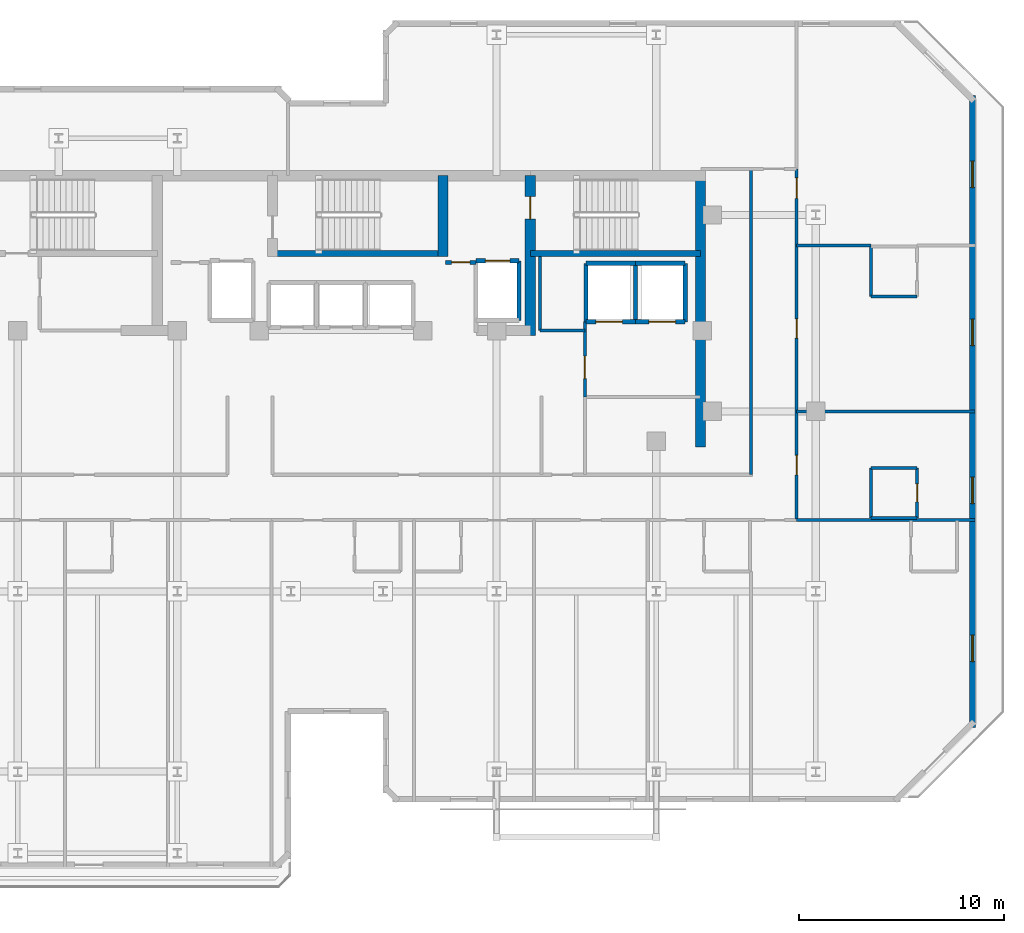
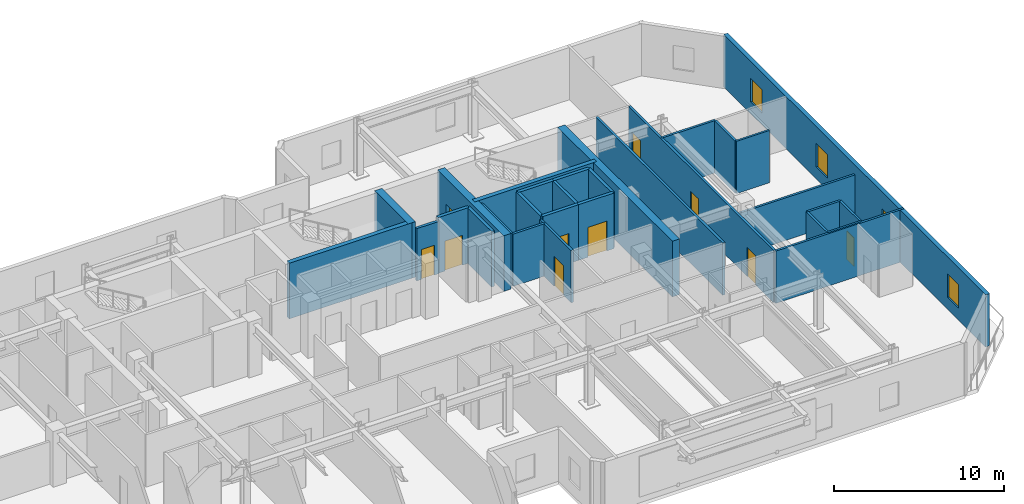
# One storey, part 7 of 13: 30 walls, 10 doors, 4 windows, 14 openings.
"""IFC4 building model written with IfcOpenShell, lengths in metres."""

import ifcopenshell
import ifcopenshell.guid

model = None  # the IFC model being written
_history = None  # IfcOwnerHistory: only IFC2X3 demands one
_inside = {}  # id of a spatial element -> (the spatial element, [elements in it])
_under = {}  # id of a project, library or spatial element -> (it, [spatial elements below it])
_declared = {}  # id of a project -> (the project, [libraries it declares])
_typed = {}  # id of a type object -> (the type object, [elements of that type])
_made_of = {}  # id of a material, layer set ... -> (it, [elements and type objects made of it])


def new_model(schema):
    """Start an empty IFC model of exactly this schema.

    Asked for "IFC4X3", IfcOpenShell would pick the latest addendum, in which some entities
    have other attributes; the version numbers below select the first issue.
    IFC2X3 requires an IfcOwnerHistory on every rooted entity: one is made here for all.
    """
    global model, _history
    if schema == "IFC4X3":
        model = ifcopenshell.file(schema_version=(4, 3, 0, 0))
    else:
        model = ifcopenshell.file(schema=schema)
    _inside.clear()
    _under.clear()
    _declared.clear()
    _typed.clear()
    _made_of.clear()
    _history = None
    if model.schema == "IFC2X3":
        org = make("IfcOrganization", Name="unknown")
        user = make(
            "IfcPersonAndOrganization",
            ThePerson=make("IfcPerson", FamilyName="unknown"),
            TheOrganization=org,
        )
        app = make(
            "IfcApplication",
            ApplicationDeveloper=org,
            Version="unknown",
            ApplicationFullName="unknown",
            ApplicationIdentifier="unknown",
        )
        _history = make(
            "IfcOwnerHistory",
            OwningUser=user,
            OwningApplication=app,
            ChangeAction="ADDED",
            CreationDate=0,
        )
    return model


def make(cls, **values):
    """One entity of the class cls with the attributes given. An attribute that is None is left unset."""
    return model.create_entity(
        cls, **{name: value for name, value in values.items() if value is not None}
    )


def rooted(cls, **values):
    """An entity with a GlobalId (a new one), such as an element, a storey or a relation."""
    return make(cls, GlobalId=ifcopenshell.guid.new(), OwnerHistory=_history, **values)


def si_unit(unit_type, name, prefix=None):
    """IfcSIUnit, for example si_unit("LENGTHUNIT", "METRE", prefix="MILLI")."""
    return make("IfcSIUnit", UnitType=unit_type, Prefix=prefix, Name=name)


def assignment(units):
    """IfcUnitAssignment: the units of a project."""
    return None if units is None else make("IfcUnitAssignment", Units=units)


def point(xyz):
    """IfcCartesianPoint."""
    return None if xyz is None else make("IfcCartesianPoint", Coordinates=xyz)


def direction(xyz):
    """IfcDirection."""
    return None if xyz is None else make("IfcDirection", DirectionRatios=xyz)


def frame(location, z_axis=None, x_axis=None):
    """IfcAxis2Placement3D, a coordinate frame: its origin and axes. An axis left out is left unset."""
    return make(
        "IfcAxis2Placement3D",
        Location=point(location),
        Axis=direction(z_axis),
        RefDirection=direction(x_axis),
    )


def frame_2d(location, x_axis=None):
    """IfcAxis2Placement2D, a coordinate frame in the plane: its origin and x axis."""
    return make(
        "IfcAxis2Placement2D", Location=point(location), RefDirection=direction(x_axis)
    )


def origin():
    """The frame at (0, 0, 0) with its axes left unset."""
    return frame((0.0, 0.0, 0.0))


def place(relative_to, where):
    """IfcLocalPlacement: puts the frame where relative to a parent placement (None: the world)."""
    return make(
        "IfcLocalPlacement", PlacementRelTo=relative_to, RelativePlacement=where
    )


def context(
    kind, dimensions, precision=None, world=None, true_north=None, identifier=None
):
    """IfcGeometricRepresentationContext, for example the 3D "Model" context."""
    return make(
        "IfcGeometricRepresentationContext",
        ContextIdentifier=identifier,
        ContextType=kind,
        CoordinateSpaceDimension=dimensions,
        Precision=precision,
        WorldCoordinateSystem=world,
        TrueNorth=true_north,
    )


def subcontext(parent, identifier, kind, view, scale=None):
    """IfcGeometricRepresentationSubContext, for example "Body" below "Model"."""
    return make(
        "IfcGeometricRepresentationSubContext",
        ContextIdentifier=identifier,
        ContextType=kind,
        ParentContext=parent,
        TargetScale=scale,
        TargetView=view,
    )


def project(units=None, contexts=None):
    """IfcProject with its units and contexts."""
    return rooted(
        "IfcProject",
        Name="project",
        RepresentationContexts=contexts,
        UnitsInContext=assignment(units),
    )


def spatial(cls, under=None, at=None, **own):
    """A site, building, storey or space (cls), placed at a placement, below another one or the project."""
    s = rooted(cls, ObjectPlacement=at, **own)
    if under is not None:
        _under.setdefault(under.id(), (under, []))[1].append(s)
    return s


def profile(cls, at=None, kind="AREA", **sizes):
    """A parametric profile (cls). Its sizes go by their IFC names, for example OverallWidth=200.0."""
    return make(cls, ProfileType=kind, Position=at, **sizes)


def rectangle(**sizes):
    """IfcRectangleProfileDef."""
    return profile("IfcRectangleProfileDef", **sizes)


def extrude(swept, where, along, depth):
    """IfcExtrudedAreaSolid: the profile swept, set in the frame where, extruded along a direction by depth."""
    return make(
        "IfcExtrudedAreaSolid",
        SweptArea=swept,
        Position=where,
        ExtrudedDirection=direction(along),
        Depth=depth,
    )


def shape(context_of_items, identifier, shape_type, items):
    """IfcShapeRepresentation: the items that make up one representation, for example the "Body"."""
    return make(
        "IfcShapeRepresentation",
        ContextOfItems=context_of_items,
        RepresentationIdentifier=identifier,
        RepresentationType=shape_type,
        Items=items,
    )


def material(Name=None, Category=None):
    """IfcMaterial."""
    return make("IfcMaterial", Name=Name, Category=Category)


def layer(
    of_material, thickness, ventilated=None, Name=None, Category=None, Priority=None
):
    """IfcMaterialLayer: one layer of a wall or slab, of a material (None: an air gap)."""
    return make(
        "IfcMaterialLayer",
        Material=of_material,
        LayerThickness=thickness,
        IsVentilated=ventilated,
        Name=Name,
        Category=Category,
        Priority=Priority,
    )


def layer_set(layers, Name=None):
    """IfcMaterialLayerSet."""
    return make("IfcMaterialLayerSet", MaterialLayers=layers, LayerSetName=Name)


def made_of(thing, what):
    """Note that an element or type object is made of a material, layer set ...; save() writes the relation."""
    if what is not None:
        _made_of.setdefault(what.id(), (what, []))[1].append(thing)
    return thing


def type_object(cls, material=None, **own):
    """A type object (cls), such as IfcWallType, which elements share."""
    return made_of(rooted(cls, **own), material)


def element(
    cls,
    number,
    at=None,
    inside=None,
    cuts=None,
    type_object=None,
    material=None,
    context=None,
    identifier="Body",
    shape_type=None,
    held_by="IfcProductDefinitionShape",
    body=None,
    shapes=None,
    **own,
):
    """One element of the class cls, such as IfcWall. Its Tag is "e" and its number.

    at: its placement. inside: the storey or other place that contains it. cuts: it is an
    opening in that element (IfcRelVoidsElement). A single representation is given by context,
    identifier, shape_type and body (its items); several are given by shapes. held_by: the class
    of the entity that holds the representations. save() writes the other relations.
    """
    e = rooted(cls, Tag="e%d" % number, ObjectPlacement=at, **own)
    if body is not None:
        shapes = [shape(context, identifier, shape_type, body)]
    if shapes is not None:
        e.Representation = make(held_by, Representations=shapes)
    if inside is not None:
        _inside.setdefault(inside.id(), (inside, []))[1].append(e)
    if cuts is not None:
        rooted(
            "IfcRelVoidsElement", RelatingBuildingElement=cuts, RelatedOpeningElement=e
        )
    if type_object is not None:
        _typed.setdefault(type_object.id(), (type_object, []))[1].append(e)
    return made_of(e, material)


def fill(opening, filler):
    """IfcRelFillsElement: the door or window that sits in an opening."""
    return rooted(
        "IfcRelFillsElement",
        RelatingOpeningElement=opening,
        RelatedBuildingElement=filler,
    )


def aggregate(whole, parts):
    """IfcRelAggregates: a whole, such as a stair, and the parts it consists of."""
    return rooted("IfcRelAggregates", RelatingObject=whole, RelatedObjects=parts)


def save(model, path):
    """Write the relations noted so far, then the file.

    IfcRelAggregates (storeys below a building ...), IfcRelContainedInSpatialStructure (elements
    in a storey), IfcRelDefinesByType, IfcRelAssociatesMaterial and IfcRelDeclares: one each for
    every whole, place, type object, material and project.
    """
    for whole, parts in _under.values():
        aggregate(whole, parts)
    for where, things in _inside.values():
        rooted(
            "IfcRelContainedInSpatialStructure",
            RelatedElements=things,
            RelatingStructure=where,
        )
    for kind, things in _typed.values():
        rooted("IfcRelDefinesByType", RelatedObjects=things, RelatingType=kind)
    for what, things in _made_of.values():
        rooted("IfcRelAssociatesMaterial", RelatedObjects=things, RelatingMaterial=what)
    for by, libraries in _declared.values():
        rooted("IfcRelDeclares", RelatingContext=by, RelatedDefinitions=libraries)
    model.write(path)


model = new_model("IFC4")

# Units and contexts
model_context = context("Model", 3, precision=1e-05, world=origin(), true_north=direction((0.0, 1.0)))
body_context = subcontext(model_context, "Body", "Model", "MODEL_VIEW")
ifc_project = project(units=[si_unit("LENGTHUNIT", "METRE"), si_unit("AREAUNIT", "SQUARE_METRE"), si_unit("VOLUMEUNIT", "CUBIC_METRE"), si_unit("PLANEANGLEUNIT", "RADIAN"), si_unit("MASSUNIT", "GRAM", prefix="KILO")], contexts=[model_context])

# Site, building, storey
site_placement = place(None, origin())
site = spatial("IfcSite", under=ifc_project, at=site_placement, CompositionType="ELEMENT")
building_placement = place(site_placement, origin())
building = spatial("IfcBuilding", under=site, at=building_placement, Name="Kestravale Grand Hotel", CompositionType="ELEMENT")
storey_placement = place(building_placement, frame((0.0, 0.0, 245.39990234375)))
storey = spatial("IfcBuildingStorey", under=building, at=storey_placement, Name="L61", CompositionType="ELEMENT", Elevation=245.39990234375)

# Walls
ifc_material_1 = material(Name="Concrete f'c 50 MPa", Category="concrete")
ifc_layer_1 = layer(ifc_material_1, 0.5)
ifc_layer_set_1 = layer_set([ifc_layer_1], Name="EW-CORE-500")
wall_type_1 = type_object("IfcWallType", Name="EW-CORE-500", PredefinedType="SHEAR", material=ifc_layer_set_1)
wall_1_placement = place(storey_placement, frame((56.77001953125, 27.050048828125, 0.0), z_axis=(0.0, 0.0, 1.0), x_axis=(0.0, 1.0, 0.0)))
element("IfcWall", 1, at=wall_1_placement, inside=storey, type_object=wall_type_1, Name="L61 core shear wall E1", PredefinedType="SHEAR", context=body_context, shape_type="SweptSolid", body=[
    extrude(rectangle(XDim=13.52001953125, YDim=0.5, at=frame_2d((6.760009765625, 0.0))), origin(), (0.0, 0.0, 1.0), 4.0),
])
wall_2_placement = place(storey_placement, frame((44.179931640625, 36.3701171875, 0.0), z_axis=(0.0, 0.0, 1.0), x_axis=(0.0, 1.0, 0.0)))
element("IfcWall", 2, at=wall_2_placement, inside=storey, type_object=wall_type_1, Name="L61 core shear wall X3", PredefinedType="SHEAR", context=body_context, shape_type="SweptSolid", body=[
    extrude(rectangle(XDim=3.949951171875, YDim=0.5, at=frame_2d((1.97509765625, 0.0))), origin(), (0.0, 0.0, 1.0), 4.0),
])

# Wall, opening, door
wall_3_placement = place(storey_placement, frame((48.449951171875, 32.5, 0.0), z_axis=(0.0, 0.0, 1.0), x_axis=(0.0, 1.0, 0.0)))
wall_3 = element("IfcWall", 3, at=wall_3_placement, inside=storey, type_object=wall_type_1, Name="L61 core shear wall X4", PredefinedType="SHEAR", context=body_context, shape_type="SweptSolid", body=[
    extrude(rectangle(XDim=7.820068359375, YDim=0.5, at=frame_2d((3.91015625, 0.0))), origin(), (0.0, 0.0, 1.0), 4.0),
])
opening_1_placement = place(wall_3_placement, frame((5.699951171875, 0.0, 0.0)))
opening_1 = element("IfcOpeningElement", 4, at=opening_1_placement, cuts=wall_3, Name="Opening D-ST-1100", PredefinedType="OPENING", context=body_context, shape_type="SweptSolid", body=[
    extrude(rectangle(XDim=1.10009765625, YDim=2.14990234375, at=frame_2d((0.550048828125, 1.074951171875))), frame((0.0, 0.260009765625, 0.0), z_axis=(0.0, -1.0, 0.0), x_axis=(1.0, 0.0, 0.0)), (0.0, 0.0, 1.0), 0.52001953125),
])
ifc_material_2 = material(Name="Galvanised 90-minute fire-rated steel stair door", Category="steel")
door_type_1 = type_object("IfcDoorType", Name="D-ST-1100", OperationType="NOTDEFINED", PredefinedType="DOOR", material=ifc_material_2)
door_1_placement = place(opening_1_placement, origin())
door_1 = element("IfcDoor", 5, at=door_1_placement, inside=storey, type_object=door_type_1, Name="L61 Stair ST-3 FSAE fire door", OperationType="SINGLE_SWING_RIGHT", OverallHeight=2.14990234375, OverallWidth=1.10009765625, PredefinedType="DOOR", context=body_context, shape_type="SweptSolid", body=[
    extrude(rectangle(XDim=1.10009765625, YDim=2.14990234375, at=frame_2d((0.550048828125, 1.074951171875))), frame((0.0, 0.02490234375, 0.0), z_axis=(0.0, -1.0, 0.0), x_axis=(1.0, 0.0, 0.0)), (0.0, 0.0, 1.0), 0.050048828125),
])
fill(opening_1, door_1)

# Wall, openings, windows
ifc_material_3 = material(Name="Precast concrete f'c 45 MPa", Category="concrete")
ifc_layer_2 = layer(ifc_material_3, 0.280029296875)
ifc_layer_set_2 = layer_set([ifc_layer_2], Name="EW-PREC-280")
wall_type_2 = type_object("IfcWallType", Name="EW-PREC-280", PredefinedType="SOLIDWALL", material=ifc_layer_set_2)
wall_4_placement = place(storey_placement, frame((70.06005859375, 13.360107421875, 0.0), z_axis=(0.0, 0.0, 1.0), x_axis=(0.0, 1.0, 0.0)))
wall_4 = element("IfcWall", 6, at=wall_4_placement, inside=storey, type_object=wall_type_2, Name="L61 fluted precast facade wall 9", PredefinedType="SOLIDWALL", context=body_context, shape_type="SweptSolid", body=[
    extrude(rectangle(XDim=30.8798828125, YDim=0.280029296875, at=frame_2d((15.43994140625, 0.0))), origin(), (0.0, 0.0, 1.0), 3.760009765625),
])
opening_2_placement = place(wall_4_placement, frame((3.2099609375, 0.0, 0.85009765625)))
opening_2 = element("IfcOpeningElement", 7, at=opening_2_placement, cuts=wall_4, Name="Opening W-GUEST-1300", PredefinedType="OPENING", context=body_context, shape_type="SweptSolid", body=[
    extrude(rectangle(XDim=1.300048828125, YDim=1.699951171875, at=frame_2d((0.64990234375, 0.85009765625))), frame((0.0, 0.14990234375, 0.0), z_axis=(0.0, -1.0, 0.0), x_axis=(1.0, 0.0, 0.0)), (0.0, 0.0, 1.0), 0.300048828125),
])
opening_3_placement = place(wall_4_placement, frame((10.929931640625, 0.0, 0.85009765625)))
opening_3 = element("IfcOpeningElement", 8, at=opening_3_placement, cuts=wall_4, Name="Opening W-GUEST-1300", PredefinedType="OPENING", context=body_context, shape_type="SweptSolid", body=[
    extrude(rectangle(XDim=1.300048828125, YDim=1.699951171875, at=frame_2d((0.64990234375, 0.85009765625))), frame((0.0, 0.14990234375, 0.0), z_axis=(0.0, -1.0, 0.0), x_axis=(1.0, 0.0, 0.0)), (0.0, 0.0, 1.0), 0.300048828125),
])
opening_4_placement = place(wall_4_placement, frame((18.64990234375, 0.0, 0.85009765625)))
opening_4 = element("IfcOpeningElement", 9, at=opening_4_placement, cuts=wall_4, Name="Opening W-GUEST-1300", PredefinedType="OPENING", context=body_context, shape_type="SweptSolid", body=[
    extrude(rectangle(XDim=1.300048828125, YDim=1.699951171875, at=frame_2d((0.64990234375, 0.85009765625))), frame((0.0, 0.14990234375, 0.0), z_axis=(0.0, -1.0, 0.0), x_axis=(1.0, 0.0, 0.0)), (0.0, 0.0, 1.0), 0.300048828125),
])
opening_5_placement = place(wall_4_placement, frame((26.3701171875, 0.0, 0.85009765625)))
opening_5 = element("IfcOpeningElement", 10, at=opening_5_placement, cuts=wall_4, Name="Opening W-GUEST-1300", PredefinedType="OPENING", context=body_context, shape_type="SweptSolid", body=[
    extrude(rectangle(XDim=1.300048828125, YDim=1.699951171875, at=frame_2d((0.64990234375, 0.85009765625))), frame((0.0, 0.14990234375, 0.0), z_axis=(0.0, -1.0, 0.0), x_axis=(1.0, 0.0, 0.0)), (0.0, 0.0, 1.0), 0.300048828125),
])
ifc_material_4 = material(Name="Insulated low-E double glazing in aluminium frame", Category="aluminium")
window_type = type_object("IfcWindowType", Name="W-GUEST-1300", PartitioningType="SINGLE_PANEL", PredefinedType="WINDOW", material=ifc_material_4)
window_1_placement = place(opening_2_placement, origin())
window_1 = element("IfcWindow", 11, at=window_1_placement, inside=storey, type_object=window_type, Name="L61 exterior window 9.1", OverallHeight=1.699951171875, OverallWidth=1.300048828125, PartitioningType="SINGLE_PANEL", PredefinedType="WINDOW", context=body_context, shape_type="SweptSolid", body=[
    extrude(rectangle(XDim=1.300048828125, YDim=1.699951171875, at=frame_2d((0.64990234375, 0.85009765625))), frame((0.0, 0.030029296875, 0.0), z_axis=(0.0, -1.0, 0.0), x_axis=(1.0, 0.0, 0.0)), (0.0, 0.0, 1.0), 0.06005859375),
])
fill(opening_2, window_1)
window_2_placement = place(opening_3_placement, origin())
window_2 = element("IfcWindow", 12, at=window_2_placement, inside=storey, type_object=window_type, Name="L61 exterior window 9.2", OverallHeight=1.699951171875, OverallWidth=1.300048828125, PartitioningType="SINGLE_PANEL", PredefinedType="WINDOW", context=body_context, shape_type="SweptSolid", body=[
    extrude(rectangle(XDim=1.300048828125, YDim=1.699951171875, at=frame_2d((0.64990234375, 0.85009765625))), frame((0.0, 0.030029296875, 0.0), z_axis=(0.0, -1.0, 0.0), x_axis=(1.0, 0.0, 0.0)), (0.0, 0.0, 1.0), 0.06005859375),
])
fill(opening_3, window_2)
window_3_placement = place(opening_4_placement, origin())
window_3 = element("IfcWindow", 13, at=window_3_placement, inside=storey, type_object=window_type, Name="L61 exterior window 9.3", OverallHeight=1.699951171875, OverallWidth=1.300048828125, PartitioningType="SINGLE_PANEL", PredefinedType="WINDOW", context=body_context, shape_type="SweptSolid", body=[
    extrude(rectangle(XDim=1.300048828125, YDim=1.699951171875, at=frame_2d((0.64990234375, 0.85009765625))), frame((0.0, 0.030029296875, 0.0), z_axis=(0.0, -1.0, 0.0), x_axis=(1.0, 0.0, 0.0)), (0.0, 0.0, 1.0), 0.06005859375),
])
fill(opening_4, window_3)
window_4_placement = place(opening_5_placement, origin())
window_4 = element("IfcWindow", 14, at=window_4_placement, inside=storey, type_object=window_type, Name="L61 exterior window 9.4", OverallHeight=1.699951171875, OverallWidth=1.300048828125, PartitioningType="SINGLE_PANEL", PredefinedType="WINDOW", context=body_context, shape_type="SweptSolid", body=[
    extrude(rectangle(XDim=1.300048828125, YDim=1.699951171875, at=frame_2d((0.64990234375, 0.85009765625))), frame((0.0, 0.030029296875, 0.0), z_axis=(0.0, -1.0, 0.0), x_axis=(1.0, 0.0, 0.0)), (0.0, 0.0, 1.0), 0.06005859375),
])
fill(opening_5, window_4)

# Walls
ifc_material_5 = material(Name="Concrete f'c 45 MPa", Category="concrete")
ifc_layer_3 = layer(ifc_material_5, 0.300048828125)
ifc_layer_set_3 = layer_set([ifc_layer_3], Name="EW-STAIR-300")
wall_type_3 = type_object("IfcWallType", Name="EW-STAIR-300", PredefinedType="SHEAR", material=ifc_layer_set_3)
wall_5_placement = place(storey_placement, frame((35.85009765625, 36.52001953125, 0.0), z_axis=(0.0, 0.0, 1.0), x_axis=(1.0, 0.0, 0.0)))
element("IfcWall", 15, at=wall_5_placement, inside=storey, type_object=wall_type_3, Name="L61 stair enclosure shear wall SST2", PredefinedType="SHEAR", context=body_context, shape_type="SweptSolid", body=[
    extrude(rectangle(XDim=8.329833984375, YDim=0.300048828125, at=frame_2d((4.1650390625, 0.0))), origin(), (0.0, 0.0, 1.0), 4.0),
])
wall_6_placement = place(storey_placement, frame((48.449951171875, 36.52001953125, 0.0), z_axis=(0.0, 0.0, 1.0), x_axis=(1.0, 0.0, 0.0)))
element("IfcWall", 16, at=wall_6_placement, inside=storey, type_object=wall_type_3, Name="L61 stair enclosure shear wall SST3", PredefinedType="SHEAR", context=body_context, shape_type="SweptSolid", body=[
    extrude(rectangle(XDim=8.320068359375, YDim=0.300048828125, at=frame_2d((4.16015625, 0.0))), origin(), (0.0, 0.0, 1.0), 4.0),
])

# Wall, opening, door
ifc_material_6 = material(Name="Acoustic fire-rated gypsum board partition", Category="other")
ifc_layer_4 = layer(ifc_material_6, 0.159912109375)
ifc_layer_set_4 = layer_set([ifc_layer_4], Name="IW-CORR-160")
wall_type_4 = type_object("IfcWallType", Name="IW-CORR-160", PredefinedType="PARTITIONING", material=ifc_layer_set_4)
wall_7_placement = place(storey_placement, frame((51.1201171875, 29.5, 0.0), z_axis=(0.0, 0.0, 1.0), x_axis=(0.0, 1.0, 0.0)))
wall_7 = element("IfcWall", 17, at=wall_7_placement, inside=storey, type_object=wall_type_4, Name="W-L61-SVCLOB-W", PredefinedType="PARTITIONING", context=body_context, shape_type="SweptSolid", body=[
    extrude(rectangle(XDim=3.699951171875, YDim=0.159912109375, at=frame_2d((1.85009765625, 0.0))), origin(), (0.0, 0.0, 1.0), 3.760009765625),
])
opening_6_placement = place(wall_7_placement, frame((0.89990234375, 0.0, 0.0)))
opening_6 = element("IfcOpeningElement", 18, at=opening_6_placement, cuts=wall_7, Name="Opening D-CORR-1100", PredefinedType="OPENING", context=body_context, shape_type="SweptSolid", body=[
    extrude(rectangle(XDim=1.10009765625, YDim=2.14990234375, at=frame_2d((0.550048828125, 1.074951171875))), frame((0.0, 0.08984375, 0.0), z_axis=(0.0, -1.0, 0.0), x_axis=(1.0, 0.0, 0.0)), (0.0, 0.0, 1.0), 0.179931640625),
])
ifc_material_7 = material(Name="Single-leaf service vestibule fire door", Category="steel")
door_type_2 = type_object("IfcDoorType", Name="D-CORR-1100", OperationType="NOTDEFINED", PredefinedType="DOOR", material=ifc_material_7)
door_2_placement = place(opening_6_placement, origin())
door_2 = element("IfcDoor", 19, at=door_2_placement, inside=storey, type_object=door_type_2, Name="L61 service lift lobby door", OperationType="SINGLE_SWING_LEFT", OverallHeight=2.14990234375, OverallWidth=1.10009765625, PredefinedType="DOOR", context=body_context, shape_type="SweptSolid", body=[
    extrude(rectangle(XDim=1.10009765625, YDim=2.14990234375, at=frame_2d((0.550048828125, 1.074951171875))), frame((0.0, 0.02490234375, 0.0), z_axis=(0.0, -1.0, 0.0), x_axis=(1.0, 0.0, 0.0)), (0.0, 0.0, 1.0), 0.050048828125),
])
fill(opening_6, door_2)

# Wall
wall_8_placement = place(storey_placement, frame((48.919921875, 32.75, 0.0), z_axis=(0.0, 0.0, 1.0), x_axis=(1.0, 0.0, 0.0)))
element("IfcWall", 20, at=wall_8_placement, inside=storey, type_object=wall_type_4, Name="W-L61-CES", PredefinedType="PARTITIONING", context=body_context, shape_type="SweptSolid", body=[
    extrude(rectangle(XDim=2.2001953125, YDim=0.159912109375, at=frame_2d((1.10009765625, 0.0))), origin(), (0.0, 0.0, 1.0), 3.760009765625),
])

# Wall, openings, doors
wall_9_placement = place(storey_placement, frame((61.4599609375, 23.550048828125, 0.0), z_axis=(0.0, 0.0, 1.0), x_axis=(0.0, 1.0, 0.0)))
wall_9 = element("IfcWall", 21, at=wall_9_placement, inside=storey, type_object=wall_type_4, Name="W-L61-SE-E", PredefinedType="PARTITIONING", context=body_context, shape_type="SweptSolid", body=[
    extrude(rectangle(XDim=17.099853515625, YDim=0.159912109375, at=frame_2d((8.5498046875, 0.0))), origin(), (0.0, 0.0, 1.0), 3.760009765625),
])
opening_7_placement = place(wall_9_placement, frame((2.14990234375, 0.0, 0.0)))
opening_7 = element("IfcOpeningElement", 22, at=opening_7_placement, cuts=wall_9, Name="Opening D-GUEST-950", PredefinedType="OPENING", context=body_context, shape_type="SweptSolid", body=[
    extrude(rectangle(XDim=0.949951171875, YDim=2.10009765625, at=frame_2d((0.47509765625, 1.050048828125))), frame((0.0, 0.08984375, 0.0), z_axis=(0.0, -1.0, 0.0), x_axis=(1.0, 0.0, 0.0)), (0.0, 0.0, 1.0), 0.179931640625),
])
opening_8_placement = place(wall_9_placement, frame((8.824951171875, 0.0, 0.0)))
opening_8 = element("IfcOpeningElement", 23, at=opening_8_placement, cuts=wall_9, Name="Opening D-GUEST-950", PredefinedType="OPENING", context=body_context, shape_type="SweptSolid", body=[
    extrude(rectangle(XDim=0.949951171875, YDim=2.10009765625, at=frame_2d((0.47509765625, 1.050048828125))), frame((0.0, 0.08984375, 0.0), z_axis=(0.0, -1.0, 0.0), x_axis=(1.0, 0.0, 0.0)), (0.0, 0.0, 1.0), 0.179931640625),
])
opening_9_placement = place(wall_9_placement, frame((15.659912109375, 0.0, 0.0)))
opening_9 = element("IfcOpeningElement", 24, at=opening_9_placement, cuts=wall_9, Name="Opening D-GUEST-1000", PredefinedType="OPENING", context=body_context, shape_type="SweptSolid", body=[
    extrude(rectangle(XDim=1.0, YDim=2.14990234375, at=frame_2d((0.5, 1.074951171875))), frame((0.0, 0.08984375, 0.0), z_axis=(0.0, -1.0, 0.0), x_axis=(1.0, 0.0, 0.0)), (0.0, 0.0, 1.0), 0.179931640625),
])
ifc_material_8 = material(Name="Accessible walnut veneer hotel entrance fire door", Category="wood")
door_type_3 = type_object("IfcDoorType", Name="D-GUEST-1000", OperationType="NOTDEFINED", PredefinedType="DOOR", material=ifc_material_8)
door_3_placement = place(opening_9_placement, origin())
door_3 = element("IfcDoor", 25, at=door_3_placement, inside=storey, type_object=door_type_3, Name="D-L61-AMEW", OperationType="SINGLE_SWING_RIGHT", OverallHeight=2.14990234375, OverallWidth=1.0, PredefinedType="DOOR", context=body_context, shape_type="SweptSolid", body=[
    extrude(rectangle(XDim=1.0, YDim=2.14990234375, at=frame_2d((0.5, 1.074951171875))), frame((0.0, 0.02490234375, 0.0), z_axis=(0.0, -1.0, 0.0), x_axis=(1.0, 0.0, 0.0)), (0.0, 0.0, 1.0), 0.050048828125),
])
fill(opening_9, door_3)
ifc_material_9 = material(Name="Walnut veneer hotel guestroom entrance fire door", Category="wood")
door_type_4 = type_object("IfcDoorType", Name="D-GUEST-950", OperationType="NOTDEFINED", PredefinedType="DOOR", material=ifc_material_9)
door_4_placement = place(opening_7_placement, origin())
door_4 = element("IfcDoor", 26, at=door_4_placement, inside=storey, type_object=door_type_4, Name="D-L61-U10-ENT", OperationType="SINGLE_SWING_LEFT", OverallHeight=2.10009765625, OverallWidth=0.949951171875, PredefinedType="DOOR", context=body_context, shape_type="SweptSolid", body=[
    extrude(rectangle(XDim=0.949951171875, YDim=2.10009765625, at=frame_2d((0.47509765625, 1.050048828125))), frame((0.0, 0.02490234375, 0.0), z_axis=(0.0, -1.0, 0.0), x_axis=(1.0, 0.0, 0.0)), (0.0, 0.0, 1.0), 0.050048828125),
])
fill(opening_7, door_4)
door_5_placement = place(opening_8_placement, origin())
door_5 = element("IfcDoor", 27, at=door_5_placement, inside=storey, type_object=door_type_4, Name="D-L61-U11-ENT", OperationType="SINGLE_SWING_LEFT", OverallHeight=2.10009765625, OverallWidth=0.949951171875, PredefinedType="DOOR", context=body_context, shape_type="SweptSolid", body=[
    extrude(rectangle(XDim=0.949951171875, YDim=2.10009765625, at=frame_2d((0.47509765625, 1.050048828125))), frame((0.0, 0.02490234375, 0.0), z_axis=(0.0, -1.0, 0.0), x_axis=(1.0, 0.0, 0.0)), (0.0, 0.0, 1.0), 0.050048828125),
])
fill(opening_8, door_5)

# Wall
wall_10_placement = place(storey_placement, frame((59.239990234375, 25.7099609375, 0.0), z_axis=(0.0, 0.0, 1.0), x_axis=(0.0, 1.0, 0.0)))
element("IfcWall", 28, at=wall_10_placement, inside=storey, type_object=wall_type_4, Name="W-L61-SE-WU", PredefinedType="PARTITIONING", context=body_context, shape_type="SweptSolid", body=[
    extrude(rectangle(XDim=14.93994140625, YDim=0.159912109375, at=frame_2d((7.469970703125, 0.0))), origin(), (0.0, 0.0, 1.0), 3.760009765625),
])

# Wall, opening, door
ifc_material_10 = material(Name="Fire-rated gypsum board on steel studs with mineral wool", Category="steel")
ifc_layer_5 = layer(ifc_material_10, 0.179931640625)
ifc_layer_set_5 = layer_set([ifc_layer_5], Name="IW-FSAE-180")
wall_type_5 = type_object("IfcWallType", Name="IW-FSAE-180", PredefinedType="PARTITIONING", material=ifc_layer_set_5)
wall_11_placement = place(storey_placement, frame((44.300048828125, 36.080078125, 0.0), z_axis=(0.0, 0.0, 1.0), x_axis=(1.0, 0.0, 0.0)))
wall_11 = element("IfcWall", 29, at=wall_11_placement, inside=storey, type_object=wall_type_5, Name="L61 FSAE Lobby 2 smoke barrier", PredefinedType="PARTITIONING", context=body_context, shape_type="SweptSolid", body=[
    extrude(rectangle(XDim=1.5, YDim=0.179931640625, at=frame_2d((0.75, 0.0))), origin(), (0.0, 0.0, 1.0), 3.760009765625),
])
opening_10_placement = place(wall_11_placement, frame((0.300048828125, 0.0, 0.0)))
opening_10 = element("IfcOpeningElement", 30, at=opening_10_placement, cuts=wall_11, Name="Opening D-FSAE-1000", PredefinedType="OPENING", context=body_context, shape_type="SweptSolid", body=[
    extrude(rectangle(XDim=0.89990234375, YDim=2.14990234375, at=frame_2d((0.449951171875, 1.074951171875))), frame((0.0, 0.099853515625, 0.0), z_axis=(0.0, -1.0, 0.0), x_axis=(1.0, 0.0, 0.0)), (0.0, 0.0, 1.0), 0.199951171875),
])
ifc_material_11 = material(Name="Smoke-gasketed FSAE lobby fire door", Category="steel")
door_type_5 = type_object("IfcDoorType", Name="D-FSAE-1000", OperationType="NOTDEFINED", PredefinedType="DOOR", material=ifc_material_11)
door_6_placement = place(opening_10_placement, origin())
door_6 = element("IfcDoor", 31, at=door_6_placement, inside=storey, type_object=door_type_5, Name="L61 FSAE Lobby 2 fire door", OperationType="SINGLE_SWING_LEFT", OverallHeight=2.14990234375, OverallWidth=0.89990234375, PredefinedType="DOOR", context=body_context, shape_type="SweptSolid", body=[
    extrude(rectangle(XDim=0.89990234375, YDim=2.14990234375, at=frame_2d((0.449951171875, 1.074951171875))), frame((0.0, 0.02490234375, 0.0), z_axis=(0.0, -1.0, 0.0), x_axis=(1.0, 0.0, 0.0)), (0.0, 0.0, 1.0), 0.050048828125),
])
fill(opening_10, door_6)

# Wall
ifc_material_12 = material(Name="Moisture-resistant tile-backer plumbing chase wall", Category="other")
ifc_layer_6 = layer(ifc_material_12, 0.139892578125)
ifc_layer_set_6 = layer_set([ifc_layer_6], Name="IW-PLB-140")
wall_type_6 = type_object("IfcWallType", Name="IW-PLB-140", PredefinedType="PLUMBINGWALL", material=ifc_layer_set_6)
wall_12_placement = place(storey_placement, frame((65.10009765625, 23.590087890625, 0.0), z_axis=(0.0, 0.0, 1.0), x_axis=(0.0, 1.0, 0.0)))
element("IfcWall", 32, at=wall_12_placement, inside=storey, type_object=wall_type_6, Name="W-L61-U10-BW", PredefinedType="PLUMBINGWALL", context=body_context, shape_type="SweptSolid", body=[
    extrude(rectangle(XDim=2.449951171875, YDim=0.139892578125, at=frame_2d((1.22509765625, 0.0))), origin(), (0.0, 0.0, 1.0), 3.760009765625),
])

# Wall, opening, door
wall_13_placement = place(storey_placement, frame((67.35009765625, 23.590087890625, 0.0), z_axis=(0.0, 0.0, 1.0), x_axis=(0.0, 1.0, 0.0)))
wall_13 = element("IfcWall", 33, at=wall_13_placement, inside=storey, type_object=wall_type_6, Name="W-L61-U10-BE", PredefinedType="PLUMBINGWALL", context=body_context, shape_type="SweptSolid", body=[
    extrude(rectangle(XDim=2.449951171875, YDim=0.139892578125, at=frame_2d((1.22509765625, 0.0))), origin(), (0.0, 0.0, 1.0), 3.760009765625),
])
opening_11_placement = place(wall_13_placement, frame((0.784912109375, 0.0, 0.0)))
opening_11 = element("IfcOpeningElement", 34, at=opening_11_placement, cuts=wall_13, Name="Opening D-BATH-880", PredefinedType="OPENING", context=body_context, shape_type="SweptSolid", body=[
    extrude(rectangle(XDim=0.8798828125, YDim=2.050048828125, at=frame_2d((0.43994140625, 1.02490234375))), frame((0.0, 0.079833984375, 0.0), z_axis=(0.0, -1.0, 0.0), x_axis=(1.0, 0.0, 0.0)), (0.0, 0.0, 1.0), 0.159912109375),
])
ifc_material_13 = material(Name="Moisture-sealed walnut en-suite bathroom door", Category="wood")
door_type_6 = type_object("IfcDoorType", Name="D-BATH-880", OperationType="NOTDEFINED", PredefinedType="DOOR", material=ifc_material_13)
door_7_placement = place(opening_11_placement, origin())
door_7 = element("IfcDoor", 35, at=door_7_placement, inside=storey, type_object=door_type_6, Name="D-L61-U10-BATH", OperationType="SINGLE_SWING_RIGHT", OverallHeight=2.050048828125, OverallWidth=0.8798828125, PredefinedType="DOOR", context=body_context, shape_type="SweptSolid", body=[
    extrude(rectangle(XDim=0.8798828125, YDim=2.050048828125, at=frame_2d((0.43994140625, 1.02490234375))), frame((0.0, 0.02490234375, 0.0), z_axis=(0.0, -1.0, 0.0), x_axis=(1.0, 0.0, 0.0)), (0.0, 0.0, 1.0), 0.050048828125),
])
fill(opening_11, door_7)

# Walls
for number, where, z_axis, x_axis, name in (
    (36, (65.10009765625, 23.590087890625, 0.0), (0.0, 0.0, 1.0), (1.0, 0.0, 0.0), "W-L61-U10-BS"),
    (37, (65.10009765625, 26.0400390625, 0.0), (0.0, 0.0, 1.0), (1.0, 0.0, 0.0), "W-L61-U10-BN"),
):
    element("IfcWall", number, at=place(storey_placement, frame(where, z_axis=z_axis, x_axis=x_axis)), inside=storey, type_object=wall_type_6, Name=name, PredefinedType="PLUMBINGWALL", context=body_context, shape_type="SweptSolid", body=[
        extrude(rectangle(XDim=2.25, YDim=0.139892578125, at=frame_2d((1.125, 0.0))), origin(), (0.0, 0.0, 1.0), 3.760009765625),
    ])
wall_14_placement = place(storey_placement, frame((65.10009765625, 34.409912109375, 0.0), z_axis=(0.0, 0.0, 1.0), x_axis=(0.0, 1.0, 0.0)))
element("IfcWall", 38, at=wall_14_placement, inside=storey, type_object=wall_type_6, Name="W-L61-U11-BW", PredefinedType="PLUMBINGWALL", context=body_context, shape_type="SweptSolid", body=[
    extrude(rectangle(XDim=2.4501953125, YDim=0.139892578125, at=frame_2d((1.22509765625, 0.0))), origin(), (0.0, 0.0, 1.0), 3.760009765625),
])
wall_15_placement = place(storey_placement, frame((65.10009765625, 34.409912109375, 0.0), z_axis=(0.0, 0.0, 1.0), x_axis=(1.0, 0.0, 0.0)))
element("IfcWall", 39, at=wall_15_placement, inside=storey, type_object=wall_type_6, Name="W-L61-U11-BS", PredefinedType="PLUMBINGWALL", context=body_context, shape_type="SweptSolid", body=[
    extrude(rectangle(XDim=2.25, YDim=0.139892578125, at=frame_2d((1.125, 0.0))), origin(), (0.0, 0.0, 1.0), 3.760009765625),
])
ifc_material_14 = material(Name="Concrete f'c 45 MPa", Category="concrete")
ifc_layer_7 = layer(ifc_material_14, 0.199951171875)
ifc_layer_set_7 = layer_set([ifc_layer_7], Name="IW-SHAFT-200")
wall_type_7 = type_object("IfcWallType", Name="IW-SHAFT-200", PredefinedType="SHEAR", material=ifc_layer_set_7)
for number, where, z_axis, x_axis, name in (
    (40, (51.179931640625, 33.169921875, 0.0), (0.0, 0.0, 1.0), (0.0, 1.0, 0.0), "L61 SL-1 west shaft wall"),
    (41, (53.60009765625, 33.169921875, 0.0), (0.0, 0.0, 1.0), (0.0, 1.0, 0.0), "L61 SL-2 west shaft wall"),
    (42, (56.02001953125, 33.169921875, 0.0), (0.0, 0.0, 1.0), (0.0, 1.0, 0.0), "L61 SL-2 east shaft wall"),
):
    element("IfcWall", number, at=place(storey_placement, frame(where, z_axis=z_axis, x_axis=x_axis)), inside=storey, type_object=wall_type_7, Name=name, PredefinedType="SHEAR", context=body_context, shape_type="SweptSolid", body=[
        extrude(rectangle(XDim=2.860107421875, YDim=0.199951171875, at=frame_2d((1.43017578125, 0.0))), origin(), (0.0, 0.0, 1.0), 4.0),
    ])
wall_16_placement = place(storey_placement, frame((47.89501953125, 33.2451171875, 0.0), z_axis=(0.0, 0.0, 1.0), x_axis=(0.0, 1.0, 0.0)))
element("IfcWall", 43, at=wall_16_placement, inside=storey, type_object=wall_type_7, Name="L61 FL-2 east shaft wall", PredefinedType="SHEAR", context=body_context, shape_type="SweptSolid", body=[
    extrude(rectangle(XDim=2.909912109375, YDim=0.199951171875, at=frame_2d((1.455078125, 0.0))), origin(), (0.0, 0.0, 1.0), 4.0),
])
ifc_material_15 = material(Name="Concrete f'c 45 MPa", Category="concrete")
ifc_layer_8 = layer(ifc_material_15, 0.219970703125)
ifc_layer_set_8 = layer_set([ifc_layer_8], Name="IW-SHAFT-220")
wall_type_8 = type_object("IfcWallType", Name="IW-SHAFT-220", PredefinedType="SHEAR", material=ifc_layer_set_8)
wall_17_placement = place(storey_placement, frame((51.179931640625, 36.030029296875, 0.0), z_axis=(0.0, 0.0, 1.0), x_axis=(1.0, 0.0, 0.0)))
element("IfcWall", 44, at=wall_17_placement, inside=storey, type_object=wall_type_8, Name="L61 SL-1 north shaft wall", PredefinedType="SHEAR", context=body_context, shape_type="SweptSolid", body=[
    extrude(rectangle(XDim=2.420166015625, YDim=0.219970703125, at=frame_2d((1.2099609375, 0.0))), origin(), (0.0, 0.0, 1.0), 4.0),
])

# Wall, opening, door
wall_18_placement = place(storey_placement, frame((51.179931640625, 33.169921875, 0.0), z_axis=(0.0, 0.0, 1.0), x_axis=(1.0, 0.0, 0.0)))
wall_18 = element("IfcWall", 45, at=wall_18_placement, inside=storey, type_object=wall_type_8, Name="L61 SL-1 south shaft wall", PredefinedType="SHEAR", context=body_context, shape_type="SweptSolid", body=[
    extrude(rectangle(XDim=2.420166015625, YDim=0.219970703125, at=frame_2d((1.2099609375, 0.0))), origin(), (0.0, 0.0, 1.0), 4.0),
])
opening_12_placement = place(wall_18_placement, frame((0.469970703125, 0.0, 0.0)))
opening_12 = element("IfcOpeningElement", 46, at=opening_12_placement, cuts=wall_18, Name="Opening LD-SVC-1300", PredefinedType="OPENING", context=body_context, shape_type="SweptSolid", body=[
    extrude(rectangle(XDim=1.300048828125, YDim=2.14990234375, at=frame_2d((0.64990234375, 1.074951171875))), frame((0.0, 0.119873046875, 0.0), z_axis=(0.0, -1.0, 0.0), x_axis=(1.0, 0.0, 0.0)), (0.0, 0.0, 1.0), 0.239990234375),
])
ifc_material_16 = material(Name="Heavy-duty service sliding elevator landing door", Category="steel")
door_type_7 = type_object("IfcDoorType", Name="LD-SVC-1300", OperationType="NOTDEFINED", PredefinedType="DOOR", material=ifc_material_16)
door_8_placement = place(opening_12_placement, origin())
door_8 = element("IfcDoor", 47, at=door_8_placement, inside=storey, type_object=door_type_7, Name="L61 SL-1 elevator landing sliding door", OperationType="DOUBLE_DOOR_SLIDING", OverallHeight=2.14990234375, OverallWidth=1.300048828125, PredefinedType="DOOR", context=body_context, shape_type="SweptSolid", body=[
    extrude(rectangle(XDim=1.300048828125, YDim=2.14990234375, at=frame_2d((0.64990234375, 1.074951171875))), frame((0.0, 0.02490234375, 0.0), z_axis=(0.0, -1.0, 0.0), x_axis=(1.0, 0.0, 0.0)), (0.0, 0.0, 1.0), 0.050048828125),
])
fill(opening_12, door_8)

# Wall
wall_19_placement = place(storey_placement, frame((53.60009765625, 36.030029296875, 0.0), z_axis=(0.0, 0.0, 1.0), x_axis=(1.0, 0.0, 0.0)))
element("IfcWall", 48, at=wall_19_placement, inside=storey, type_object=wall_type_8, Name="L61 SL-2 north shaft wall", PredefinedType="SHEAR", context=body_context, shape_type="SweptSolid", body=[
    extrude(rectangle(XDim=2.419921875, YDim=0.219970703125, at=frame_2d((1.2099609375, 0.0))), origin(), (0.0, 0.0, 1.0), 4.0),
])

# Wall, opening, door
wall_20_placement = place(storey_placement, frame((53.60009765625, 33.169921875, 0.0), z_axis=(0.0, 0.0, 1.0), x_axis=(1.0, 0.0, 0.0)))
wall_20 = element("IfcWall", 49, at=wall_20_placement, inside=storey, type_object=wall_type_8, Name="L61 SL-2 south shaft wall", PredefinedType="SHEAR", context=body_context, shape_type="SweptSolid", body=[
    extrude(rectangle(XDim=2.419921875, YDim=0.219970703125, at=frame_2d((1.2099609375, 0.0))), origin(), (0.0, 0.0, 1.0), 4.0),
])
opening_13_placement = place(wall_20_placement, frame((0.64990234375, 0.0, 0.0)))
opening_13 = element("IfcOpeningElement", 50, at=opening_13_placement, cuts=wall_20, Name="Opening LD-SVC-1300", PredefinedType="OPENING", context=body_context, shape_type="SweptSolid", body=[
    extrude(rectangle(XDim=1.300048828125, YDim=2.14990234375, at=frame_2d((0.64990234375, 1.074951171875))), frame((0.0, 0.119873046875, 0.0), z_axis=(0.0, -1.0, 0.0), x_axis=(1.0, 0.0, 0.0)), (0.0, 0.0, 1.0), 0.239990234375),
])
door_9_placement = place(opening_13_placement, origin())
door_9 = element("IfcDoor", 51, at=door_9_placement, inside=storey, type_object=door_type_7, Name="L61 SL-2 elevator landing sliding door", OperationType="DOUBLE_DOOR_SLIDING", OverallHeight=2.14990234375, OverallWidth=1.300048828125, PredefinedType="DOOR", context=body_context, shape_type="SweptSolid", body=[
    extrude(rectangle(XDim=1.300048828125, YDim=2.14990234375, at=frame_2d((0.64990234375, 1.074951171875))), frame((0.0, 0.02490234375, 0.0), z_axis=(0.0, -1.0, 0.0), x_axis=(1.0, 0.0, 0.0)), (0.0, 0.0, 1.0), 0.050048828125),
])
fill(opening_13, door_9)

wall_21_placement = place(storey_placement, frame((45.804931640625, 36.155029296875, 0.0), z_axis=(0.0, 0.0, 1.0), x_axis=(1.0, 0.0, 0.0)))
wall_21 = element("IfcWall", 52, at=wall_21_placement, inside=storey, type_object=wall_type_8, Name="L61 FL-2 north shaft wall", PredefinedType="SHEAR", context=body_context, shape_type="SweptSolid", body=[
    extrude(rectangle(XDim=2.090087890625, YDim=0.219970703125, at=frame_2d((1.044921875, 0.0))), origin(), (0.0, 0.0, 1.0), 4.0),
])
opening_14_placement = place(wall_21_placement, frame((0.445068359375, 0.0, 0.0)))
opening_14 = element("IfcOpeningElement", 53, at=opening_14_placement, cuts=wall_21, Name="Opening LD-FSAE-1200", PredefinedType="OPENING", context=body_context, shape_type="SweptSolid", body=[
    extrude(rectangle(XDim=1.199951171875, YDim=2.14990234375, at=frame_2d((0.60009765625, 1.074951171875))), frame((0.0, 0.119873046875, 0.0), z_axis=(0.0, -1.0, 0.0), x_axis=(1.0, 0.0, 0.0)), (0.0, 0.0, 1.0), 0.239990234375),
])
ifc_material_17 = material(Name="Stainless fire-service sliding elevator landing door", Category="steel")
door_type_8 = type_object("IfcDoorType", Name="LD-FSAE-1200", OperationType="NOTDEFINED", PredefinedType="DOOR", material=ifc_material_17)
door_10_placement = place(opening_14_placement, origin())
door_10 = element("IfcDoor", 54, at=door_10_placement, inside=storey, type_object=door_type_8, Name="L61 FL-2 elevator landing sliding door", OperationType="DOUBLE_DOOR_SLIDING", OverallHeight=2.14990234375, OverallWidth=1.199951171875, PredefinedType="DOOR", context=body_context, shape_type="SweptSolid", body=[
    extrude(rectangle(XDim=1.199951171875, YDim=2.14990234375, at=frame_2d((0.60009765625, 1.074951171875))), frame((0.0, 0.02490234375, 0.0), z_axis=(0.0, -1.0, 0.0), x_axis=(1.0, 0.0, 0.0)), (0.0, 0.0, 1.0), 0.050048828125),
])
fill(opening_14, door_10)

# Walls
ifc_material_18 = material(Name="Double-stud STC 52 acoustic demising partition", Category="other")
ifc_layer_9 = layer(ifc_material_18, 0.14990234375)
ifc_layer_set_9 = layer_set([ifc_layer_9], Name="IW-UNIT-150")
wall_type_9 = type_object("IfcWallType", Name="IW-UNIT-150", PredefinedType="PARTITIONING", material=ifc_layer_set_9)
wall_22_placement = place(storey_placement, frame((48.919921875, 32.75, 0.0), z_axis=(0.0, 0.0, 1.0), x_axis=(0.0, 1.0, 0.0)))
element("IfcWall", 55, at=wall_22_placement, inside=storey, type_object=wall_type_9, Name="W-L61-CEW", PredefinedType="PARTITIONING", context=body_context, shape_type="SweptSolid", body=[
    extrude(rectangle(XDim=3.6201171875, YDim=0.14990234375, at=frame_2d((1.81005859375, 0.0))), origin(), (0.0, 0.0, 1.0), 3.760009765625),
])
wall_23_placement = place(storey_placement, frame((61.4599609375, 23.489990234375, 0.0), z_axis=(0.0, 0.0, 1.0), x_axis=(1.0, 0.0, 0.0)))
element("IfcWall", 56, at=wall_23_placement, inside=storey, type_object=wall_type_9, Name="W-L61-SEC-N", PredefinedType="PARTITIONING", context=body_context, shape_type="SweptSolid", body=[
    extrude(rectangle(XDim=8.719970703125, YDim=0.14990234375, at=frame_2d((4.35986328125, 0.0))), origin(), (0.0, 0.0, 1.0), 3.760009765625),
])
wall_24_placement = place(storey_placement, frame((61.4599609375, 28.800048828125, 0.0), z_axis=(0.0, 0.0, 1.0), x_axis=(1.0, 0.0, 0.0)))
element("IfcWall", 57, at=wall_24_placement, inside=storey, type_object=wall_type_9, Name="W-L61-EW-1", PredefinedType="PARTITIONING", context=body_context, shape_type="SweptSolid", body=[
    extrude(rectangle(XDim=8.719970703125, YDim=0.14990234375, at=frame_2d((4.35986328125, 0.0))), origin(), (0.0, 0.0, 1.0), 3.064208984375),
])
wall_25_placement = place(storey_placement, frame((61.4599609375, 36.89990234375, 0.0), z_axis=(0.0, 0.0, 1.0), x_axis=(1.0, 0.0, 0.0)))
element("IfcWall", 58, at=wall_25_placement, inside=storey, type_object=wall_type_9, Name="W-L61-EW-2", PredefinedType="PARTITIONING", context=body_context, shape_type="SweptSolid", body=[
    extrude(rectangle(XDim=3.64013671875, YDim=0.14990234375, at=frame_2d((1.820068359375, 0.0))), origin(), (0.0, 0.0, 1.0), 3.760009765625),
])

save(model, "model.ifc")
